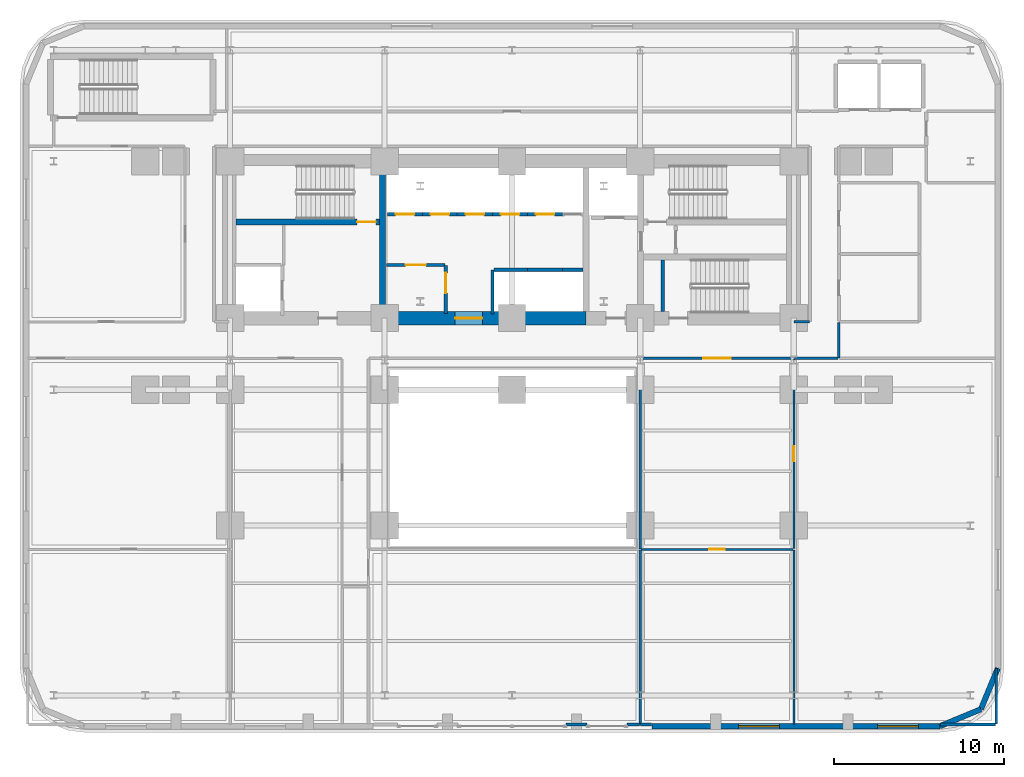
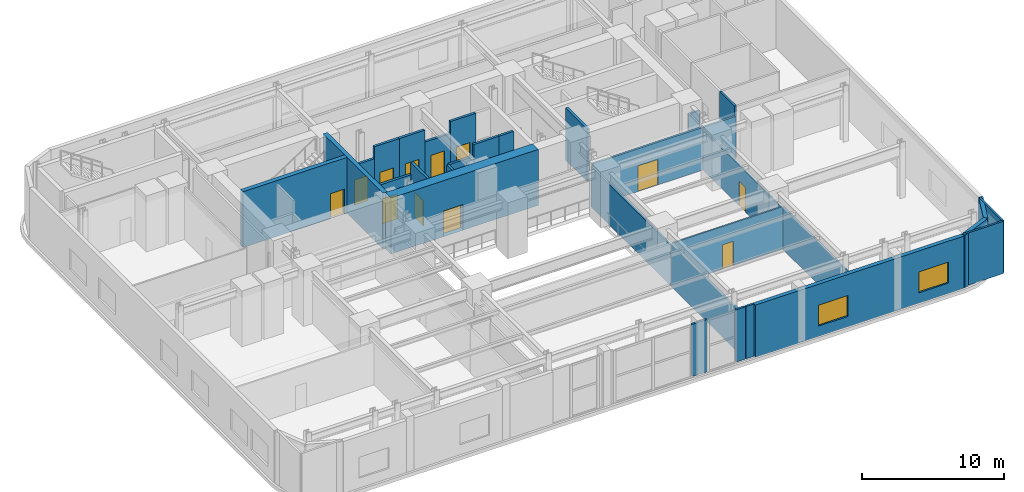
# One storey, part 7 of 16: 32 walls, 12 doors, 2 windows, 14 openings.
"""IFC4 building model written with IfcOpenShell, lengths in metres."""

import ifcopenshell
import ifcopenshell.guid

model = None  # the IFC model being written
_history = None  # IfcOwnerHistory: only IFC2X3 demands one
_inside = {}  # id of a spatial element -> (the spatial element, [elements in it])
_under = {}  # id of a project, library or spatial element -> (it, [spatial elements below it])
_declared = {}  # id of a project -> (the project, [libraries it declares])
_typed = {}  # id of a type object -> (the type object, [elements of that type])
_made_of = {}  # id of a material, layer set ... -> (it, [elements and type objects made of it])


def new_model(schema):
    """Start an empty IFC model of exactly this schema.

    Asked for "IFC4X3", IfcOpenShell would pick the latest addendum, in which some entities
    have other attributes; the version numbers below select the first issue.
    IFC2X3 requires an IfcOwnerHistory on every rooted entity: one is made here for all.
    """
    global model, _history
    if schema == "IFC4X3":
        model = ifcopenshell.file(schema_version=(4, 3, 0, 0))
    else:
        model = ifcopenshell.file(schema=schema)
    _inside.clear()
    _under.clear()
    _declared.clear()
    _typed.clear()
    _made_of.clear()
    _history = None
    if model.schema == "IFC2X3":
        org = make("IfcOrganization", Name="unknown")
        user = make(
            "IfcPersonAndOrganization",
            ThePerson=make("IfcPerson", FamilyName="unknown"),
            TheOrganization=org,
        )
        app = make(
            "IfcApplication",
            ApplicationDeveloper=org,
            Version="unknown",
            ApplicationFullName="unknown",
            ApplicationIdentifier="unknown",
        )
        _history = make(
            "IfcOwnerHistory",
            OwningUser=user,
            OwningApplication=app,
            ChangeAction="ADDED",
            CreationDate=0,
        )
    return model


def make(cls, **values):
    """One entity of the class cls with the attributes given. An attribute that is None is left unset."""
    return model.create_entity(
        cls, **{name: value for name, value in values.items() if value is not None}
    )


def rooted(cls, **values):
    """An entity with a GlobalId (a new one), such as an element, a storey or a relation."""
    return make(cls, GlobalId=ifcopenshell.guid.new(), OwnerHistory=_history, **values)


def si_unit(unit_type, name, prefix=None):
    """IfcSIUnit, for example si_unit("LENGTHUNIT", "METRE", prefix="MILLI")."""
    return make("IfcSIUnit", UnitType=unit_type, Prefix=prefix, Name=name)


def assignment(units):
    """IfcUnitAssignment: the units of a project."""
    return None if units is None else make("IfcUnitAssignment", Units=units)


def point(xyz):
    """IfcCartesianPoint."""
    return None if xyz is None else make("IfcCartesianPoint", Coordinates=xyz)


def direction(xyz):
    """IfcDirection."""
    return None if xyz is None else make("IfcDirection", DirectionRatios=xyz)


def frame(location, z_axis=None, x_axis=None):
    """IfcAxis2Placement3D, a coordinate frame: its origin and axes. An axis left out is left unset."""
    return make(
        "IfcAxis2Placement3D",
        Location=point(location),
        Axis=direction(z_axis),
        RefDirection=direction(x_axis),
    )


def frame_2d(location, x_axis=None):
    """IfcAxis2Placement2D, a coordinate frame in the plane: its origin and x axis."""
    return make(
        "IfcAxis2Placement2D", Location=point(location), RefDirection=direction(x_axis)
    )


def origin():
    """The frame at (0, 0, 0) with its axes left unset."""
    return frame((0.0, 0.0, 0.0))


def place(relative_to, where):
    """IfcLocalPlacement: puts the frame where relative to a parent placement (None: the world)."""
    return make(
        "IfcLocalPlacement", PlacementRelTo=relative_to, RelativePlacement=where
    )


def context(
    kind, dimensions, precision=None, world=None, true_north=None, identifier=None
):
    """IfcGeometricRepresentationContext, for example the 3D "Model" context."""
    return make(
        "IfcGeometricRepresentationContext",
        ContextIdentifier=identifier,
        ContextType=kind,
        CoordinateSpaceDimension=dimensions,
        Precision=precision,
        WorldCoordinateSystem=world,
        TrueNorth=true_north,
    )


def subcontext(parent, identifier, kind, view, scale=None):
    """IfcGeometricRepresentationSubContext, for example "Body" below "Model"."""
    return make(
        "IfcGeometricRepresentationSubContext",
        ContextIdentifier=identifier,
        ContextType=kind,
        ParentContext=parent,
        TargetScale=scale,
        TargetView=view,
    )


def project(units=None, contexts=None):
    """IfcProject with its units and contexts."""
    return rooted(
        "IfcProject",
        Name="project",
        RepresentationContexts=contexts,
        UnitsInContext=assignment(units),
    )


def spatial(cls, under=None, at=None, **own):
    """A site, building, storey or space (cls), placed at a placement, below another one or the project."""
    s = rooted(cls, ObjectPlacement=at, **own)
    if under is not None:
        _under.setdefault(under.id(), (under, []))[1].append(s)
    return s


def profile(cls, at=None, kind="AREA", **sizes):
    """A parametric profile (cls). Its sizes go by their IFC names, for example OverallWidth=200.0."""
    return make(cls, ProfileType=kind, Position=at, **sizes)


def rectangle(**sizes):
    """IfcRectangleProfileDef."""
    return profile("IfcRectangleProfileDef", **sizes)


def extrude(swept, where, along, depth):
    """IfcExtrudedAreaSolid: the profile swept, set in the frame where, extruded along a direction by depth."""
    return make(
        "IfcExtrudedAreaSolid",
        SweptArea=swept,
        Position=where,
        ExtrudedDirection=direction(along),
        Depth=depth,
    )


def shape(context_of_items, identifier, shape_type, items):
    """IfcShapeRepresentation: the items that make up one representation, for example the "Body"."""
    return make(
        "IfcShapeRepresentation",
        ContextOfItems=context_of_items,
        RepresentationIdentifier=identifier,
        RepresentationType=shape_type,
        Items=items,
    )


def material(Name=None, Category=None):
    """IfcMaterial."""
    return make("IfcMaterial", Name=Name, Category=Category)


def layer(
    of_material, thickness, ventilated=None, Name=None, Category=None, Priority=None
):
    """IfcMaterialLayer: one layer of a wall or slab, of a material (None: an air gap)."""
    return make(
        "IfcMaterialLayer",
        Material=of_material,
        LayerThickness=thickness,
        IsVentilated=ventilated,
        Name=Name,
        Category=Category,
        Priority=Priority,
    )


def layer_set(layers, Name=None):
    """IfcMaterialLayerSet."""
    return make("IfcMaterialLayerSet", MaterialLayers=layers, LayerSetName=Name)


def made_of(thing, what):
    """Note that an element or type object is made of a material, layer set ...; save() writes the relation."""
    if what is not None:
        _made_of.setdefault(what.id(), (what, []))[1].append(thing)
    return thing


def type_object(cls, material=None, **own):
    """A type object (cls), such as IfcWallType, which elements share."""
    return made_of(rooted(cls, **own), material)


def element(
    cls,
    number,
    at=None,
    inside=None,
    cuts=None,
    type_object=None,
    material=None,
    context=None,
    identifier="Body",
    shape_type=None,
    held_by="IfcProductDefinitionShape",
    body=None,
    shapes=None,
    **own,
):
    """One element of the class cls, such as IfcWall. Its Tag is "e" and its number.

    at: its placement. inside: the storey or other place that contains it. cuts: it is an
    opening in that element (IfcRelVoidsElement). A single representation is given by context,
    identifier, shape_type and body (its items); several are given by shapes. held_by: the class
    of the entity that holds the representations. save() writes the other relations.
    """
    e = rooted(cls, Tag="e%d" % number, ObjectPlacement=at, **own)
    if body is not None:
        shapes = [shape(context, identifier, shape_type, body)]
    if shapes is not None:
        e.Representation = make(held_by, Representations=shapes)
    if inside is not None:
        _inside.setdefault(inside.id(), (inside, []))[1].append(e)
    if cuts is not None:
        rooted(
            "IfcRelVoidsElement", RelatingBuildingElement=cuts, RelatedOpeningElement=e
        )
    if type_object is not None:
        _typed.setdefault(type_object.id(), (type_object, []))[1].append(e)
    return made_of(e, material)


def fill(opening, filler):
    """IfcRelFillsElement: the door or window that sits in an opening."""
    return rooted(
        "IfcRelFillsElement",
        RelatingOpeningElement=opening,
        RelatedBuildingElement=filler,
    )


def aggregate(whole, parts):
    """IfcRelAggregates: a whole, such as a stair, and the parts it consists of."""
    return rooted("IfcRelAggregates", RelatingObject=whole, RelatedObjects=parts)


def save(model, path):
    """Write the relations noted so far, then the file.

    IfcRelAggregates (storeys below a building ...), IfcRelContainedInSpatialStructure (elements
    in a storey), IfcRelDefinesByType, IfcRelAssociatesMaterial and IfcRelDeclares: one each for
    every whole, place, type object, material and project.
    """
    for whole, parts in _under.values():
        aggregate(whole, parts)
    for where, things in _inside.values():
        rooted(
            "IfcRelContainedInSpatialStructure",
            RelatedElements=things,
            RelatingStructure=where,
        )
    for kind, things in _typed.values():
        rooted("IfcRelDefinesByType", RelatedObjects=things, RelatingType=kind)
    for what, things in _made_of.values():
        rooted("IfcRelAssociatesMaterial", RelatedObjects=things, RelatingMaterial=what)
    for by, libraries in _declared.values():
        rooted("IfcRelDeclares", RelatingContext=by, RelatedDefinitions=libraries)
    model.write(path)


model = new_model("IFC4")

# Units and contexts
model_context = context("Model", 3, precision=1e-05, world=origin(), true_north=direction((0.0, 1.0)))
body_context = subcontext(model_context, "Body", "Model", "MODEL_VIEW")
ifc_project = project(units=[si_unit("LENGTHUNIT", "METRE"), si_unit("AREAUNIT", "SQUARE_METRE"), si_unit("VOLUMEUNIT", "CUBIC_METRE"), si_unit("PLANEANGLEUNIT", "RADIAN"), si_unit("MASSUNIT", "GRAM", prefix="KILO")], contexts=[model_context])

# Site, building, storey
site_placement = place(None, origin())
site = spatial("IfcSite", under=ifc_project, at=site_placement, CompositionType="ELEMENT")
building_placement = place(site_placement, origin())
building = spatial("IfcBuilding", under=site, at=building_placement, Name="Zarnavel Station Tower", CompositionType="ELEMENT")
storey_placement = place(building_placement, frame((0.0, 0.0, 19.39990234375)))
storey = spatial("IfcBuildingStorey", under=building, at=storey_placement, Name="L05", CompositionType="ELEMENT", Elevation=19.39990234375)

# Wall
ifc_material_1 = material(Name="Concrete C50/60", Category="concrete")
ifc_layer_1 = layer(ifc_material_1, 0.35009765625)
ifc_layer_set_1 = layer_set([ifc_layer_1], Name="CW_350")
wall_type_1 = type_object("IfcWallType", Name="CW_350", PredefinedType="SHEAR", material=ifc_layer_set_1)
wall_1_placement = place(storey_placement, frame((21.179931640625, 28.219970703125, 0.0), z_axis=(0.0, 0.0, 1.0), x_axis=(0.0, 1.0, 0.0)))
element("IfcWall", 1, at=wall_1_placement, inside=storey, type_object=wall_type_1, Name="L05 Rear Core Shear Wall DIV-W", PredefinedType="SHEAR", context=body_context, shape_type="SweptSolid", body=[
    extrude(rectangle(XDim=8.429931640625, YDim=0.35009765625, at=frame_2d((4.21484375, 0.0))), origin(), (0.0, 0.0, 1.0), 4.800048828125),
])

# Wall, opening, door
wall_2_placement = place(storey_placement, frame((21.0048828125, 33.47998046875, 0.0), z_axis=(0.0, 0.0, 1.0), x_axis=(-1.0, 0.0, 0.0)))
wall_2 = element("IfcWall", 2, at=wall_2_placement, inside=storey, type_object=wall_type_1, Name="L05 Rear Core Shear Wall DIV-H1", PredefinedType="SHEAR", context=body_context, shape_type="SweptSolid", body=[
    extrude(rectangle(XDim=8.454833984375, YDim=0.35009765625, at=frame_2d((4.2275390625, 0.0))), origin(), (0.0, 0.0, 1.0), 4.800048828125),
])
opening_1_placement = place(wall_2_placement, frame((0.219970703125, 0.0, 0.0)))
opening_1 = element("IfcOpeningElement", 3, at=opening_1_placement, cuts=wall_2, Name="Opening FD01", PredefinedType="OPENING", context=body_context, shape_type="SweptSolid", body=[
    extrude(rectangle(XDim=1.10009765625, YDim=2.14990234375, at=frame_2d((0.550048828125, 1.074951171875))), frame((0.0, 0.18505859375, 0.0), z_axis=(0.0, -1.0, 0.0), x_axis=(1.0, 0.0, 0.0)), (0.0, 0.0, 1.0), 0.3701171875),
])
ifc_material_2 = material(Name="Painted Galvanised Steel and Hardwood Leaf", Category="steel")
door_type_1 = type_object("IfcDoorType", Name="ID_STAIR_1100", OperationType="NOTDEFINED", PredefinedType="DOOR", material=ifc_material_2)
door_1_placement = place(opening_1_placement, origin())
door_1 = element("IfcDoor", 4, at=door_1_placement, inside=storey, type_object=door_type_1, Name="L05 Stair ST1 Lobby Fire Door", OperationType="SINGLE_SWING_LEFT", OverallHeight=2.14990234375, OverallWidth=1.10009765625, PredefinedType="DOOR", context=body_context, shape_type="SweptSolid", body=[
    extrude(rectangle(XDim=1.10009765625, YDim=2.14990234375, at=frame_2d((0.550048828125, 1.074951171875))), frame((0.0, 0.02490234375, 0.0), z_axis=(0.0, -1.0, 0.0), x_axis=(1.0, 0.0, 0.0)), (0.0, 0.0, 1.0), 0.050048828125),
])
fill(opening_1, door_1)

ifc_material_3 = material(Name="Concrete C60/75", Category="concrete")
ifc_layer_2 = layer(ifc_material_3, 0.800048828125)
ifc_layer_set_2 = layer_set([ifc_layer_2], Name="CW_800")
wall_type_2 = type_object("IfcWallType", Name="CW_800", PredefinedType="SHEAR", material=ifc_layer_set_2)
wall_3_placement = place(storey_placement, frame((33.14990234375, 27.820068359375, 0.0), z_axis=(0.0, 0.0, 1.0), x_axis=(-1.0, 0.0, 0.0)))
wall_3 = element("IfcWall", 5, at=wall_3_placement, inside=storey, type_object=wall_type_2, Name="L05 Rear Core Shear Wall S-M", PredefinedType="SHEAR", context=body_context, shape_type="SweptSolid", body=[
    extrude(rectangle(XDim=11.969970703125, YDim=0.800048828125, at=frame_2d((5.98486328125, 0.0))), origin(), (0.0, 0.0, 1.0), 4.800048828125),
])
opening_2_placement = place(wall_3_placement, frame((6.10009765625, 0.0, 0.0)))
opening_2 = element("IfcOpeningElement", 6, at=opening_2_placement, cuts=wall_3, Name="Opening ID03", PredefinedType="OPENING", context=body_context, shape_type="SweptSolid", body=[
    extrude(rectangle(XDim=1.60009765625, YDim=2.199951171875, at=frame_2d((0.800048828125, 1.10009765625))), frame((0.0, 0.409912109375, 0.0), z_axis=(0.0, -1.0, 0.0), x_axis=(1.0, 0.0, 0.0)), (0.0, 0.0, 1.0), 0.820068359375),
])
ifc_material_4 = material(Name="Painted Galvanised Steel and Hardwood Leaf", Category="steel")
door_type_2 = type_object("IfcDoorType", Name="ID_PUBLIC_1600", OperationType="DOUBLE_DOOR_SINGLE_SWING", PredefinedType="DOOR", material=ifc_material_4)
door_2_placement = place(opening_2_placement, origin())
door_2 = element("IfcDoor", 7, at=door_2_placement, inside=storey, type_object=door_type_2, Name="L05 Passenger Lift Lobby Double Door", OperationType="SINGLE_SWING_LEFT", OverallHeight=2.199951171875, OverallWidth=1.60009765625, PredefinedType="DOOR", context=body_context, shape_type="SweptSolid", body=[
    extrude(rectangle(XDim=1.60009765625, YDim=2.199951171875, at=frame_2d((0.800048828125, 1.10009765625))), frame((0.0, 0.02490234375, 0.0), z_axis=(0.0, -1.0, 0.0), x_axis=(1.0, 0.0, 0.0)), (0.0, 0.0, 1.0), 0.050048828125),
])
fill(opening_2, door_2)

# Walls
ifc_material_5 = material(Name="Precast concrete C45/55 (Podium Basalt Frame)", Category="masonry")
ifc_layer_3 = layer(ifc_material_5, 0.320068359375)
ifc_layer_set_3 = layer_set([ifc_layer_3], Name="EW_BASALT_320")
wall_type_3 = type_object("IfcWallType", Name="EW_BASALT_320", PredefinedType="SOLIDWALL", material=ifc_layer_set_3)
for number, where, z_axis, x_axis, name in (
    (8, (56.418212890625, 4.78173828125, 0.0), (0.0, 0.0, 1.0), (-0.923872453333, -0.382700522567, 0.0), "L05 Exterior Basalt Masonry Frame Wall 01"),
    (9, (57.419921875, 7.199951171875, 0.0), (0.0, 0.0, 1.0), (-0.382700522567, -0.923872453333, 0.0), "L05 Exterior Basalt Masonry Frame Wall 02"),
):
    element("IfcWall", number, at=place(storey_placement, frame(where, z_axis=z_axis, x_axis=x_axis)), inside=storey, type_object=wall_type_3, Name=name, PredefinedType="SOLIDWALL", context=body_context, shape_type="SweptSolid", body=[
        extrude(rectangle(XDim=2.617431640625, YDim=0.320068359375, at=frame_2d((1.30859375, 0.0))), origin(), (0.0, 0.0, 1.0), 4.5),
    ])

# Wall, openings, windows
wall_4_placement = place(storey_placement, frame((54.0, 3.780029296875, 0.0), z_axis=(0.0, 0.0, 1.0), x_axis=(-1.0, 0.0, 0.0)))
wall_4 = element("IfcWall", 10, at=wall_4_placement, inside=storey, type_object=wall_type_3, Name="L05 South East Masonry Facade Wall", PredefinedType="SOLIDWALL", context=body_context, shape_type="SweptSolid", body=[
    extrude(rectangle(XDim=16.949951171875, YDim=0.320068359375, at=frame_2d((8.47509765625, 0.0))), origin(), (0.0, 0.0, 1.0), 4.5),
])
opening_3_placement = place(wall_4_placement, frame((9.451904296875, 0.0, 0.89990234375)))
opening_3 = element("IfcOpeningElement", 11, at=opening_3_placement, cuts=wall_4, Name="Opening WN03", PredefinedType="OPENING", context=body_context, shape_type="SweptSolid", body=[
    extrude(rectangle(XDim=2.39990234375, YDim=1.800048828125, at=frame_2d((1.199951171875, 0.89990234375))), frame((0.0, 0.169921875, 0.0), z_axis=(0.0, -1.0, 0.0), x_axis=(1.0, 0.0, 0.0)), (0.0, 0.0, 1.0), 0.340087890625),
])
opening_4_placement = place(wall_4_placement, frame((1.261962890625, 0.0, 0.89990234375)))
opening_4 = element("IfcOpeningElement", 12, at=opening_4_placement, cuts=wall_4, Name="Opening WN03", PredefinedType="OPENING", context=body_context, shape_type="SweptSolid", body=[
    extrude(rectangle(XDim=2.39990234375, YDim=1.800048828125, at=frame_2d((1.199951171875, 0.89990234375))), frame((0.0, 0.169921875, 0.0), z_axis=(0.0, -1.0, 0.0), x_axis=(1.0, 0.0, 0.0)), (0.0, 0.0, 1.0), 0.340087890625),
])
ifc_material_6 = material(Name="Thermally Broken Black Aluminium and Low-E Dark Glass", Category="aluminium")
window_type = type_object("IfcWindowType", Name="WN_2400x1800", PartitioningType="TRIPLE_PANEL_VERTICAL", PredefinedType="WINDOW", material=ifc_material_6)
window_1_placement = place(opening_3_placement, origin())
window_1 = element("IfcWindow", 13, at=window_1_placement, inside=storey, type_object=window_type, Name="L05 Recessed Facade Window 01", OverallHeight=1.800048828125, OverallWidth=2.39990234375, PartitioningType="SINGLE_PANEL", PredefinedType="WINDOW", context=body_context, shape_type="SweptSolid", body=[
    extrude(rectangle(XDim=2.39990234375, YDim=1.800048828125, at=frame_2d((1.199951171875, 0.89990234375))), frame((0.0, 0.030029296875, 0.0), z_axis=(0.0, -1.0, 0.0), x_axis=(1.0, 0.0, 0.0)), (0.0, 0.0, 1.0), 0.06005859375),
])
fill(opening_3, window_1)
window_2_placement = place(opening_4_placement, origin())
window_2 = element("IfcWindow", 14, at=window_2_placement, inside=storey, type_object=window_type, Name="L05 Recessed Facade Window 02", OverallHeight=1.800048828125, OverallWidth=2.39990234375, PartitioningType="SINGLE_PANEL", PredefinedType="WINDOW", context=body_context, shape_type="SweptSolid", body=[
    extrude(rectangle(XDim=2.39990234375, YDim=1.800048828125, at=frame_2d((1.199951171875, 0.89990234375))), frame((0.0, 0.030029296875, 0.0), z_axis=(0.0, -1.0, 0.0), x_axis=(1.0, 0.0, 0.0)), (0.0, 0.0, 1.0), 0.06005859375),
])
fill(opening_4, window_2)

# Wall, opening, door
ifc_material_7 = material(Name="Gypsum Twin-Stud Acoustic Fire Partition", Category="concrete")
ifc_layer_4 = layer(ifc_material_7, 0.159912109375)
ifc_layer_set_4 = layer_set([ifc_layer_4], Name="PT_DEMISE_160")
wall_type_4 = type_object("IfcWallType", Name="PT_DEMISE_160", PredefinedType="PARTITIONING", material=ifc_layer_set_4)
wall_5_placement = place(storey_placement, frame((36.389892578125, 25.449951171875, 0.0), z_axis=(0.0, 0.0, 1.0), x_axis=(1.0, 0.0, 0.0)))
wall_5 = element("IfcWall", 15, at=wall_5_placement, inside=storey, type_object=wall_type_4, Name="L05 Partition PCOR-S-CONF2", PredefinedType="PARTITIONING", context=body_context, shape_type="SweptSolid", body=[
    extrude(rectangle(XDim=8.97021484375, YDim=0.159912109375, at=frame_2d((4.485107421875, 0.0))), origin(), (0.0, 0.0, 1.0), 3.666015625),
])
opening_5_placement = place(wall_5_placement, frame((3.68505859375, 0.0, 0.0)))
opening_5 = element("IfcOpeningElement", 16, at=opening_5_placement, cuts=wall_5, Name="Opening ID03", PredefinedType="OPENING", context=body_context, shape_type="SweptSolid", body=[
    extrude(rectangle(XDim=1.60009765625, YDim=2.199951171875, at=frame_2d((0.800048828125, 1.10009765625))), frame((0.0, 0.08984375, 0.0), z_axis=(0.0, -1.0, 0.0), x_axis=(1.0, 0.0, 0.0)), (0.0, 0.0, 1.0), 0.179931640625),
])
door_3_placement = place(opening_5_placement, origin())
door_3 = element("IfcDoor", 17, at=door_3_placement, inside=storey, type_object=door_type_2, Name="L05 Door PCOR-S-CONF2", OperationType="SINGLE_SWING_LEFT", OverallHeight=2.199951171875, OverallWidth=1.60009765625, PredefinedType="DOOR", context=body_context, shape_type="SweptSolid", body=[
    extrude(rectangle(XDim=1.60009765625, YDim=2.199951171875, at=frame_2d((0.800048828125, 1.10009765625))), frame((0.0, 0.02490234375, 0.0), z_axis=(0.0, -1.0, 0.0), x_axis=(1.0, 0.0, 0.0)), (0.0, 0.0, 1.0), 0.050048828125),
])
fill(opening_5, door_3)

# Walls
wall_6_placement = place(storey_placement, frame((45.43994140625, 25.449951171875, 0.0), z_axis=(0.0, 0.0, 1.0), x_axis=(1.0, 0.0, 0.0)))
element("IfcWall", 18, at=wall_6_placement, inside=storey, type_object=wall_type_4, Name="L05 Partition PCOR-S-CONF3", PredefinedType="PARTITIONING", context=body_context, shape_type="SweptSolid", body=[
    extrude(rectangle(XDim=2.570068359375, YDim=0.159912109375, at=frame_2d((1.28515625, 0.0))), origin(), (0.0, 0.0, 1.0), 3.666015625),
])
wall_7_placement = place(storey_placement, frame((36.35009765625, 3.8798828125, 0.0), z_axis=(0.0, 0.0, 1.0), x_axis=(0.0, 1.0, 0.0)))
element("IfcWall", 19, at=wall_7_placement, inside=storey, type_object=wall_type_4, Name="L05 Partition PREF-CONF1", PredefinedType="PARTITIONING", context=body_context, shape_type="SweptSolid", body=[
    extrude(rectangle(XDim=10.280029296875, YDim=0.159912109375, at=frame_2d((5.14013671875, 0.0))), origin(), (0.0, 0.0, 1.0), 3.666015625),
])
wall_8_placement = place(storey_placement, frame((45.409912109375, 27.60009765625, 0.0), z_axis=(0.0, 0.0, 1.0), x_axis=(1.0, 0.0, 0.0)))
element("IfcWall", 20, at=wall_8_placement, inside=storey, type_object=wall_type_4, Name="L05 Enclosure Wall PCOR-S", PredefinedType="PARTITIONING", context=body_context, shape_type="SweptSolid", body=[
    extrude(rectangle(XDim=0.91015625, YDim=0.159912109375, at=frame_2d((0.455078125, 0.0))), origin(), (0.0, 0.0, 1.0), 3.47216796875),
])
wall_9_placement = place(storey_placement, frame((48.050048828125, 25.47998046875, 0.0), z_axis=(0.0, 0.0, 1.0), x_axis=(0.0, 1.0, 0.0)))
element("IfcWall", 21, at=wall_9_placement, inside=storey, type_object=wall_type_4, Name="L05 Enclosure Wall PCOR-S", PredefinedType="PARTITIONING", context=body_context, shape_type="SweptSolid", body=[
    extrude(rectangle(XDim=2.090087890625, YDim=0.159912109375, at=frame_2d((1.044921875, 0.0))), origin(), (0.0, 0.0, 1.0), 4.5),
])
wall_10_placement = place(storey_placement, frame((31.986083984375, 3.8798828125, 0.0), z_axis=(0.0, 0.0, 1.0), x_axis=(1.0, 0.0, 0.0)))
element("IfcWall", 22, at=wall_10_placement, inside=storey, type_object=wall_type_4, Name="L05 Enclosure Wall PREF", PredefinedType="PARTITIONING", context=body_context, shape_type="SweptSolid", body=[
    extrude(rectangle(XDim=1.22802734375, YDim=0.159912109375, at=frame_2d((0.614013671875, 0.0))), origin(), (0.0, 0.0, 1.0), 4.5),
])
wall_11_placement = place(storey_placement, frame((35.580078125, 3.8798828125, 0.0), z_axis=(0.0, 0.0, 1.0), x_axis=(1.0, 0.0, 0.0)))
element("IfcWall", 23, at=wall_11_placement, inside=storey, type_object=wall_type_4, Name="L05 Enclosure Wall PREF", PredefinedType="PARTITIONING", context=body_context, shape_type="SweptSolid", body=[
    extrude(rectangle(XDim=0.739990234375, YDim=0.159912109375, at=frame_2d((0.3701171875, 0.0))), origin(), (0.0, 0.0, 1.0), 4.5),
])
wall_12_placement = place(storey_placement, frame((36.3798828125, 3.8798828125, 0.0), z_axis=(0.0, 0.0, 1.0), x_axis=(1.0, 0.0, 0.0)))
element("IfcWall", 24, at=wall_12_placement, inside=storey, type_object=wall_type_4, Name="L05 Enclosure Wall CONF1", PredefinedType="PARTITIONING", context=body_context, shape_type="SweptSolid", body=[
    extrude(rectangle(XDim=0.64013671875, YDim=0.159912109375, at=frame_2d((0.320068359375, 0.0))), origin(), (0.0, 0.0, 1.0), 4.5),
])
wall_13_placement = place(storey_placement, frame((36.35009765625, 14.22998046875, 0.0), z_axis=(0.0, 0.0, 1.0), x_axis=(0.0, 1.0, 0.0)))
element("IfcWall", 25, at=wall_13_placement, inside=storey, type_object=wall_type_4, Name="L05 Enclosure Wall CONF2", PredefinedType="PARTITIONING", context=body_context, shape_type="SweptSolid", body=[
    extrude(rectangle(XDim=11.18994140625, YDim=0.159912109375, at=frame_2d((5.594970703125, 0.0))), origin(), (0.0, 0.0, 1.0), 3.47216796875),
])
for number, where, z_axis, x_axis, name in (
    (26, (54.030029296875, 3.8798828125, 0.0), (0.0, 0.0, 1.0), (1.0, 0.0, 0.0), "L05 Enclosure Wall CONF3"),
    (27, (57.320068359375, 3.909912109375, 0.0), (0.0, 0.0, 1.0), (0.0, 1.0, 0.0), "L05 Enclosure Wall CONF3"),
):
    element("IfcWall", number, at=place(storey_placement, frame(where, z_axis=z_axis, x_axis=x_axis)), inside=storey, type_object=wall_type_4, Name=name, PredefinedType="PARTITIONING", context=body_context, shape_type="SweptSolid", body=[
        extrude(rectangle(XDim=3.260009765625, YDim=0.159912109375, at=frame_2d((1.6298828125, 0.0))), origin(), (0.0, 0.0, 1.0), 4.5),
    ])

# Wall, opening, door
ifc_material_8 = material(Name="Gypsum Metal-Stud Interior Partition", Category="concrete")
ifc_layer_5 = layer(ifc_material_8, 0.1201171875)
ifc_layer_set_5 = layer_set([ifc_layer_5], Name="PT_ROOM_120")
wall_type_5 = type_object("IfcWallType", Name="PT_ROOM_120", PredefinedType="PARTITIONING", material=ifc_layer_set_5)
wall_14_placement = place(storey_placement, frame((36.389892578125, 14.199951171875, 0.0), z_axis=(0.0, 0.0, 1.0), x_axis=(1.0, 0.0, 0.0)))
wall_14 = element("IfcWall", 28, at=wall_14_placement, inside=storey, type_object=wall_type_5, Name="L05 Partition CONF1-CONF2", PredefinedType="PARTITIONING", context=body_context, shape_type="SweptSolid", body=[
    extrude(rectangle(XDim=8.97021484375, YDim=0.1201171875, at=frame_2d((4.485107421875, 0.0))), origin(), (0.0, 0.0, 1.0), 3.666015625),
])
opening_6_placement = place(wall_14_placement, frame((4.034912109375, 0.0, 0.0)))
opening_6 = element("IfcOpeningElement", 29, at=opening_6_placement, cuts=wall_14, Name="Opening ID01", PredefinedType="OPENING", context=body_context, shape_type="SweptSolid", body=[
    extrude(rectangle(XDim=0.89990234375, YDim=2.10009765625, at=frame_2d((0.449951171875, 1.050048828125))), frame((0.0, 0.070068359375, 0.0), z_axis=(0.0, -1.0, 0.0), x_axis=(1.0, 0.0, 0.0)), (0.0, 0.0, 1.0), 0.14013671875),
])
ifc_material_9 = material(Name="Painted Galvanised Steel and Hardwood Leaf", Category="steel")
door_type_3 = type_object("IfcDoorType", Name="ID_ROOM_900", OperationType="NOTDEFINED", PredefinedType="DOOR", material=ifc_material_9)
door_4_placement = place(opening_6_placement, origin())
door_4 = element("IfcDoor", 30, at=door_4_placement, inside=storey, type_object=door_type_3, Name="L05 Door CONF1-CONF2", OperationType="SINGLE_SWING_RIGHT", OverallHeight=2.10009765625, OverallWidth=0.89990234375, PredefinedType="DOOR", context=body_context, shape_type="SweptSolid", body=[
    extrude(rectangle(XDim=0.89990234375, YDim=2.10009765625, at=frame_2d((0.449951171875, 1.050048828125))), frame((0.0, 0.02490234375, 0.0), z_axis=(0.0, -1.0, 0.0), x_axis=(1.0, 0.0, 0.0)), (0.0, 0.0, 1.0), 0.050048828125),
])
fill(opening_6, door_4)

# Wall
wall_15_placement = place(storey_placement, frame((45.39990234375, 3.8798828125, 0.0), z_axis=(0.0, 0.0, 1.0), x_axis=(0.0, 1.0, 0.0)))
element("IfcWall", 31, at=wall_15_placement, inside=storey, type_object=wall_type_5, Name="L05 Partition CONF1-CONF3", PredefinedType="PARTITIONING", context=body_context, shape_type="SweptSolid", body=[
    extrude(rectangle(XDim=10.280029296875, YDim=0.1201171875, at=frame_2d((5.14013671875, 0.0))), origin(), (0.0, 0.0, 1.0), 3.666015625),
])

# Wall, opening, door
wall_16_placement = place(storey_placement, frame((45.39990234375, 14.239990234375, 0.0), z_axis=(0.0, 0.0, 1.0), x_axis=(0.0, 1.0, 0.0)))
wall_16 = element("IfcWall", 32, at=wall_16_placement, inside=storey, type_object=wall_type_5, Name="L05 Partition CONF2-CONF3", PredefinedType="PARTITIONING", context=body_context, shape_type="SweptSolid", body=[
    extrude(rectangle(XDim=11.169921875, YDim=0.1201171875, at=frame_2d((5.5849609375, 0.0))), origin(), (0.0, 0.0, 1.0), 3.47216796875),
])
opening_7_placement = place(wall_16_placement, frame((5.135009765625, 0.0, 0.0)))
opening_7 = element("IfcOpeningElement", 33, at=opening_7_placement, cuts=wall_16, Name="Opening ID01", PredefinedType="OPENING", context=body_context, shape_type="SweptSolid", body=[
    extrude(rectangle(XDim=0.89990234375, YDim=2.10009765625, at=frame_2d((0.449951171875, 1.050048828125))), frame((0.0, 0.070068359375, 0.0), z_axis=(0.0, -1.0, 0.0), x_axis=(1.0, 0.0, 0.0)), (0.0, 0.0, 1.0), 0.14013671875),
])
door_5_placement = place(opening_7_placement, origin())
door_5 = element("IfcDoor", 34, at=door_5_placement, inside=storey, type_object=door_type_3, Name="L05 Door CONF2-CONF3", OperationType="SINGLE_SWING_LEFT", OverallHeight=2.10009765625, OverallWidth=0.89990234375, PredefinedType="DOOR", context=body_context, shape_type="SweptSolid", body=[
    extrude(rectangle(XDim=0.89990234375, YDim=2.10009765625, at=frame_2d((0.449951171875, 1.050048828125))), frame((0.0, 0.02490234375, 0.0), z_axis=(0.0, -1.0, 0.0), x_axis=(1.0, 0.0, 0.0)), (0.0, 0.0, 1.0), 0.050048828125),
])
fill(opening_7, door_5)

# Walls
ifc_material_10 = material(Name="Precast concrete C45/55 (Fire Shaft Blockwork)", Category="masonry")
ifc_layer_6 = layer(ifc_material_10, 0.199951171875)
ifc_layer_set_6 = layer_set([ifc_layer_6], Name="PT_SHAFT_200")
wall_type_6 = type_object("IfcWallType", Name="PT_SHAFT_200", PredefinedType="PARTITIONING", material=ifc_layer_set_6)
wall_17_placement = place(storey_placement, frame((27.75, 30.669921875, 0.0), z_axis=(0.0, 0.0, 1.0), x_axis=(1.0, 0.0, 0.0)))
element("IfcWall", 35, at=wall_17_placement, inside=storey, type_object=wall_type_6, Name="L05 Lift PL-H1 Shaft Front Wall", PredefinedType="PARTITIONING", context=body_context, shape_type="SweptSolid", body=[
    extrude(rectangle(XDim=1.97509765625, YDim=0.199951171875, at=frame_2d((0.987548828125, 0.0))), origin(), (0.0, 0.0, 1.0), 3.47216796875),
])
wall_18_placement = place(storey_placement, frame((27.64990234375, 28.070068359375, 0.0), z_axis=(0.0, 0.0, 1.0), x_axis=(0.0, 1.0, 0.0)))
element("IfcWall", 36, at=wall_18_placement, inside=storey, type_object=wall_type_6, Name="L05 High-Rise Lift Bank West Shaft Wall", PredefinedType="PARTITIONING", context=body_context, shape_type="SweptSolid", body=[
    extrude(rectangle(XDim=2.579833984375, YDim=0.199951171875, at=frame_2d((1.2900390625, 0.0))), origin(), (0.0, 0.0, 1.0), 3.47216796875),
])
wall_19_placement = place(storey_placement, frame((29.72509765625, 30.669921875, 0.0), z_axis=(0.0, 0.0, 1.0), x_axis=(1.0, 0.0, 0.0)))
element("IfcWall", 37, at=wall_19_placement, inside=storey, type_object=wall_type_6, Name="L05 Lift PL-H2 Shaft Front Wall", PredefinedType="PARTITIONING", context=body_context, shape_type="SweptSolid", body=[
    extrude(rectangle(XDim=2.0498046875, YDim=0.199951171875, at=frame_2d((1.02490234375, 0.0))), origin(), (0.0, 0.0, 1.0), 4.5),
])
wall_20_placement = place(storey_placement, frame((31.77490234375, 30.669921875, 0.0), z_axis=(0.0, 0.0, 1.0), x_axis=(1.0, 0.0, 0.0)))
element("IfcWall", 38, at=wall_20_placement, inside=storey, type_object=wall_type_6, Name="L05 Lift PL-H3 Shaft Front Wall", PredefinedType="PARTITIONING", context=body_context, shape_type="SweptSolid", body=[
    extrude(rectangle(XDim=1.2001953125, YDim=0.199951171875, at=frame_2d((0.60009765625, 0.0))), origin(), (0.0, 0.0, 1.0), 4.5),
])

# Wall, opening, door
wall_21_placement = place(storey_placement, frame((21.4599609375, 33.929931640625, 0.0), z_axis=(0.0, 0.0, 1.0), x_axis=(1.0, 0.0, 0.0)))
wall_21 = element("IfcWall", 39, at=wall_21_placement, inside=storey, type_object=wall_type_6, Name="L05 Lift PL-L1 Shaft Front Wall", PredefinedType="PARTITIONING", context=body_context, shape_type="SweptSolid", body=[
    extrude(rectangle(XDim=2.06494140625, YDim=0.199951171875, at=frame_2d((1.032470703125, 0.0))), origin(), (0.0, 0.0, 1.0), 3.47216796875),
])
opening_8_placement = place(wall_21_placement, frame((0.482421875, 0.0, 0.0)))
opening_8 = element("IfcOpeningElement", 40, at=opening_8_placement, cuts=wall_21, Name="Opening LD02", PredefinedType="OPENING", context=body_context, shape_type="SweptSolid", body=[
    extrude(rectangle(XDim=1.10009765625, YDim=2.14990234375, at=frame_2d((0.550048828125, 1.074951171875))), frame((0.0, 0.10986328125, 0.0), z_axis=(0.0, -1.0, 0.0), x_axis=(1.0, 0.0, 0.0)), (0.0, 0.0, 1.0), 0.219970703125),
])
ifc_material_11 = material(Name="Painted Galvanised Steel and Hardwood Leaf", Category="steel")
door_type_4 = type_object("IfcDoorType", Name="LD_PAX_1100", OperationType="DOUBLE_DOOR_SLIDING", PredefinedType="DOOR", material=ifc_material_11)
door_6_placement = place(opening_8_placement, origin())
door_6 = element("IfcDoor", 41, at=door_6_placement, inside=storey, type_object=door_type_4, Name="L05 Lift PL-L1 Sliding Landing Door", OperationType="DOUBLE_DOOR_SLIDING", OverallHeight=2.14990234375, OverallWidth=1.10009765625, PredefinedType="DOOR", context=body_context, shape_type="SweptSolid", body=[
    extrude(rectangle(XDim=1.10009765625, YDim=2.14990234375, at=frame_2d((0.550048828125, 1.074951171875))), frame((0.0, 0.02490234375, 0.0), z_axis=(0.0, -1.0, 0.0), x_axis=(1.0, 0.0, 0.0)), (0.0, 0.0, 1.0), 0.050048828125),
])
fill(opening_8, door_6)

wall_22_placement = place(storey_placement, frame((23.52490234375, 33.929931640625, 0.0), z_axis=(0.0, 0.0, 1.0), x_axis=(1.0, 0.0, 0.0)))
wall_22 = element("IfcWall", 42, at=wall_22_placement, inside=storey, type_object=wall_type_6, Name="L05 Lift PL-L2 Shaft Front Wall", PredefinedType="PARTITIONING", context=body_context, shape_type="SweptSolid", body=[
    extrude(rectangle(XDim=2.050048828125, YDim=0.199951171875, at=frame_2d((1.02490234375, 0.0))), origin(), (0.0, 0.0, 1.0), 4.5),
])
opening_9_placement = place(wall_22_placement, frame((0.47509765625, 0.0, 0.0)))
opening_9 = element("IfcOpeningElement", 43, at=opening_9_placement, cuts=wall_22, Name="Opening LD02", PredefinedType="OPENING", context=body_context, shape_type="SweptSolid", body=[
    extrude(rectangle(XDim=1.10009765625, YDim=2.14990234375, at=frame_2d((0.550048828125, 1.074951171875))), frame((0.0, 0.10986328125, 0.0), z_axis=(0.0, -1.0, 0.0), x_axis=(1.0, 0.0, 0.0)), (0.0, 0.0, 1.0), 0.219970703125),
])
door_7_placement = place(opening_9_placement, origin())
door_7 = element("IfcDoor", 44, at=door_7_placement, inside=storey, type_object=door_type_4, Name="L05 Lift PL-L2 Sliding Landing Door", OperationType="DOUBLE_DOOR_SLIDING", OverallHeight=2.14990234375, OverallWidth=1.10009765625, PredefinedType="DOOR", context=body_context, shape_type="SweptSolid", body=[
    extrude(rectangle(XDim=1.10009765625, YDim=2.14990234375, at=frame_2d((0.550048828125, 1.074951171875))), frame((0.0, 0.02490234375, 0.0), z_axis=(0.0, -1.0, 0.0), x_axis=(1.0, 0.0, 0.0)), (0.0, 0.0, 1.0), 0.050048828125),
])
fill(opening_9, door_7)

wall_23_placement = place(storey_placement, frame((25.574951171875, 33.929931640625, 0.0), z_axis=(0.0, 0.0, 1.0), x_axis=(1.0, 0.0, 0.0)))
wall_23 = element("IfcWall", 45, at=wall_23_placement, inside=storey, type_object=wall_type_6, Name="L05 Lift PL-L3 Shaft Front Wall", PredefinedType="PARTITIONING", context=body_context, shape_type="SweptSolid", body=[
    extrude(rectangle(XDim=2.074951171875, YDim=0.199951171875, at=frame_2d((1.03759765625, 0.0))), origin(), (0.0, 0.0, 1.0), 4.5),
])
opening_10_placement = place(wall_23_placement, frame((0.487548828125, 0.0, 0.0)))
opening_10 = element("IfcOpeningElement", 46, at=opening_10_placement, cuts=wall_23, Name="Opening LD02", PredefinedType="OPENING", context=body_context, shape_type="SweptSolid", body=[
    extrude(rectangle(XDim=1.10009765625, YDim=2.14990234375, at=frame_2d((0.550048828125, 1.074951171875))), frame((0.0, 0.10986328125, 0.0), z_axis=(0.0, -1.0, 0.0), x_axis=(1.0, 0.0, 0.0)), (0.0, 0.0, 1.0), 0.219970703125),
])
door_8_placement = place(opening_10_placement, origin())
door_8 = element("IfcDoor", 47, at=door_8_placement, inside=storey, type_object=door_type_4, Name="L05 Lift PL-L3 Sliding Landing Door", OperationType="DOUBLE_DOOR_SLIDING", OverallHeight=2.14990234375, OverallWidth=1.10009765625, PredefinedType="DOOR", context=body_context, shape_type="SweptSolid", body=[
    extrude(rectangle(XDim=1.10009765625, YDim=2.14990234375, at=frame_2d((0.550048828125, 1.074951171875))), frame((0.0, 0.02490234375, 0.0), z_axis=(0.0, -1.0, 0.0), x_axis=(1.0, 0.0, 0.0)), (0.0, 0.0, 1.0), 0.050048828125),
])
fill(opening_10, door_8)

wall_24_placement = place(storey_placement, frame((27.64990234375, 33.929931640625, 0.0), z_axis=(0.0, 0.0, 1.0), x_axis=(1.0, 0.0, 0.0)))
wall_24 = element("IfcWall", 48, at=wall_24_placement, inside=storey, type_object=wall_type_6, Name="L05 Lift PL-M1 Shaft Front Wall", PredefinedType="PARTITIONING", context=body_context, shape_type="SweptSolid", body=[
    extrude(rectangle(XDim=2.0751953125, YDim=0.199951171875, at=frame_2d((1.03759765625, 0.0))), origin(), (0.0, 0.0, 1.0), 3.47216796875),
])
opening_11_placement = place(wall_24_placement, frame((0.487548828125, 0.0, 0.0)))
opening_11 = element("IfcOpeningElement", 49, at=opening_11_placement, cuts=wall_24, Name="Opening LD02", PredefinedType="OPENING", context=body_context, shape_type="SweptSolid", body=[
    extrude(rectangle(XDim=1.10009765625, YDim=2.14990234375, at=frame_2d((0.550048828125, 1.074951171875))), frame((0.0, 0.10986328125, 0.0), z_axis=(0.0, -1.0, 0.0), x_axis=(1.0, 0.0, 0.0)), (0.0, 0.0, 1.0), 0.219970703125),
])
door_9_placement = place(opening_11_placement, origin())
door_9 = element("IfcDoor", 50, at=door_9_placement, inside=storey, type_object=door_type_4, Name="L05 Lift PL-M1 Sliding Landing Door", OperationType="DOUBLE_DOOR_SLIDING", OverallHeight=2.14990234375, OverallWidth=1.10009765625, PredefinedType="DOOR", context=body_context, shape_type="SweptSolid", body=[
    extrude(rectangle(XDim=1.10009765625, YDim=2.14990234375, at=frame_2d((0.550048828125, 1.074951171875))), frame((0.0, 0.02490234375, 0.0), z_axis=(0.0, -1.0, 0.0), x_axis=(1.0, 0.0, 0.0)), (0.0, 0.0, 1.0), 0.050048828125),
])
fill(opening_11, door_9)

wall_25_placement = place(storey_placement, frame((29.72509765625, 33.929931640625, 0.0), z_axis=(0.0, 0.0, 1.0), x_axis=(1.0, 0.0, 0.0)))
wall_25 = element("IfcWall", 51, at=wall_25_placement, inside=storey, type_object=wall_type_6, Name="L05 Lift PL-M2 Shaft Front Wall", PredefinedType="PARTITIONING", context=body_context, shape_type="SweptSolid", body=[
    extrude(rectangle(XDim=2.0498046875, YDim=0.199951171875, at=frame_2d((1.02490234375, 0.0))), origin(), (0.0, 0.0, 1.0), 4.5),
])
opening_12_placement = place(wall_25_placement, frame((0.47509765625, 0.0, 0.0)))
opening_12 = element("IfcOpeningElement", 52, at=opening_12_placement, cuts=wall_25, Name="Opening LD02", PredefinedType="OPENING", context=body_context, shape_type="SweptSolid", body=[
    extrude(rectangle(XDim=1.10009765625, YDim=2.14990234375, at=frame_2d((0.550048828125, 1.074951171875))), frame((0.0, 0.10986328125, 0.0), z_axis=(0.0, -1.0, 0.0), x_axis=(1.0, 0.0, 0.0)), (0.0, 0.0, 1.0), 0.219970703125),
])
door_10_placement = place(opening_12_placement, origin())
door_10 = element("IfcDoor", 53, at=door_10_placement, inside=storey, type_object=door_type_4, Name="L05 Lift PL-M2 Sliding Landing Door", OperationType="DOUBLE_DOOR_SLIDING", OverallHeight=2.14990234375, OverallWidth=1.10009765625, PredefinedType="DOOR", context=body_context, shape_type="SweptSolid", body=[
    extrude(rectangle(XDim=1.10009765625, YDim=2.14990234375, at=frame_2d((0.550048828125, 1.074951171875))), frame((0.0, 0.02490234375, 0.0), z_axis=(0.0, -1.0, 0.0), x_axis=(1.0, 0.0, 0.0)), (0.0, 0.0, 1.0), 0.050048828125),
])
fill(opening_12, door_10)

# Wall
wall_26_placement = place(storey_placement, frame((37.679931640625, 28.219970703125, 0.0), z_axis=(0.0, 0.0, 1.0), x_axis=(0.0, 1.0, 0.0)))
element("IfcWall", 54, at=wall_26_placement, inside=storey, type_object=wall_type_6, Name="L05 Stair ST3 West Shaft Wall", PredefinedType="PARTITIONING", context=body_context, shape_type="SweptSolid", body=[
    extrude(rectangle(XDim=3.030029296875, YDim=0.199951171875, at=frame_2d((1.51513671875, 0.0))), origin(), (0.0, 0.0, 1.0), 4.5),
])

# Wall, opening, door
wall_27_placement = place(storey_placement, frame((21.39990234375, 30.949951171875, 0.0), z_axis=(0.0, 0.0, 1.0), x_axis=(1.0, 0.0, 0.0)))
wall_27 = element("IfcWall", 55, at=wall_27_placement, inside=storey, type_object=wall_type_6, Name="L05 Partition LLOB-CS1", PredefinedType="PARTITIONING", context=body_context, shape_type="SweptSolid", body=[
    extrude(rectangle(XDim=3.460205078125, YDim=0.199951171875, at=frame_2d((1.72998046875, 0.0))), origin(), (0.0, 0.0, 1.0), 3.47216796875),
])
opening_13_placement = place(wall_27_placement, frame((1.1298828125, 0.0, 0.0)))
opening_13 = element("IfcOpeningElement", 56, at=opening_13_placement, cuts=wall_27, Name="Opening FD03", PredefinedType="OPENING", context=body_context, shape_type="SweptSolid", body=[
    extrude(rectangle(XDim=1.199951171875, YDim=2.14990234375, at=frame_2d((0.60009765625, 1.074951171875))), frame((0.0, 0.10986328125, 0.0), z_axis=(0.0, -1.0, 0.0), x_axis=(1.0, 0.0, 0.0)), (0.0, 0.0, 1.0), 0.219970703125),
])
ifc_material_12 = material(Name="Painted Galvanised Steel and Hardwood Leaf", Category="steel")
door_type_5 = type_object("IfcDoorType", Name="ID_PLANT_1200", OperationType="NOTDEFINED", PredefinedType="DOOR", material=ifc_material_12)
door_11_placement = place(opening_13_placement, origin())
door_11 = element("IfcDoor", 57, at=door_11_placement, inside=storey, type_object=door_type_5, Name="L05 Door LLOB-CS1", OperationType="SINGLE_SWING_LEFT", OverallHeight=2.14990234375, OverallWidth=1.199951171875, PredefinedType="DOOR", context=body_context, shape_type="SweptSolid", body=[
    extrude(rectangle(XDim=1.199951171875, YDim=2.14990234375, at=frame_2d((0.60009765625, 1.074951171875))), frame((0.0, 0.02490234375, 0.0), z_axis=(0.0, -1.0, 0.0), x_axis=(1.0, 0.0, 0.0)), (0.0, 0.0, 1.0), 0.050048828125),
])
fill(opening_13, door_11)

wall_28_placement = place(storey_placement, frame((24.89990234375, 28.090087890625, 0.0), z_axis=(0.0, 0.0, 1.0), x_axis=(0.0, 1.0, 0.0)))
wall_28 = element("IfcWall", 58, at=wall_28_placement, inside=storey, type_object=wall_type_6, Name="L05 Partition LLOBS-CS1", PredefinedType="PARTITIONING", context=body_context, shape_type="SweptSolid", body=[
    extrude(rectangle(XDim=2.81982421875, YDim=0.199951171875, at=frame_2d((1.409912109375, 0.0))), origin(), (0.0, 0.0, 1.0), 4.5),
])
opening_14_placement = place(wall_28_placement, frame((1.20068359375, 0.0, 0.0)))
opening_14 = element("IfcOpeningElement", 59, at=opening_14_placement, cuts=wall_28, Name="Opening FD03", PredefinedType="OPENING", context=body_context, shape_type="SweptSolid", body=[
    extrude(rectangle(XDim=1.199951171875, YDim=2.14990234375, at=frame_2d((0.60009765625, 1.074951171875))), frame((0.0, 0.10986328125, 0.0), z_axis=(0.0, -1.0, 0.0), x_axis=(1.0, 0.0, 0.0)), (0.0, 0.0, 1.0), 0.219970703125),
])
door_12_placement = place(opening_14_placement, origin())
door_12 = element("IfcDoor", 60, at=door_12_placement, inside=storey, type_object=door_type_5, Name="L05 Door LLOBS-CS1", OperationType="SINGLE_SWING_RIGHT", OverallHeight=2.14990234375, OverallWidth=1.199951171875, PredefinedType="DOOR", context=body_context, shape_type="SweptSolid", body=[
    extrude(rectangle(XDim=1.199951171875, YDim=2.14990234375, at=frame_2d((0.60009765625, 1.074951171875))), frame((0.0, 0.02490234375, 0.0), z_axis=(0.0, -1.0, 0.0), x_axis=(1.0, 0.0, 0.0)), (0.0, 0.0, 1.0), 0.050048828125),
])
fill(opening_14, door_12)

save(model, "model.ifc")
